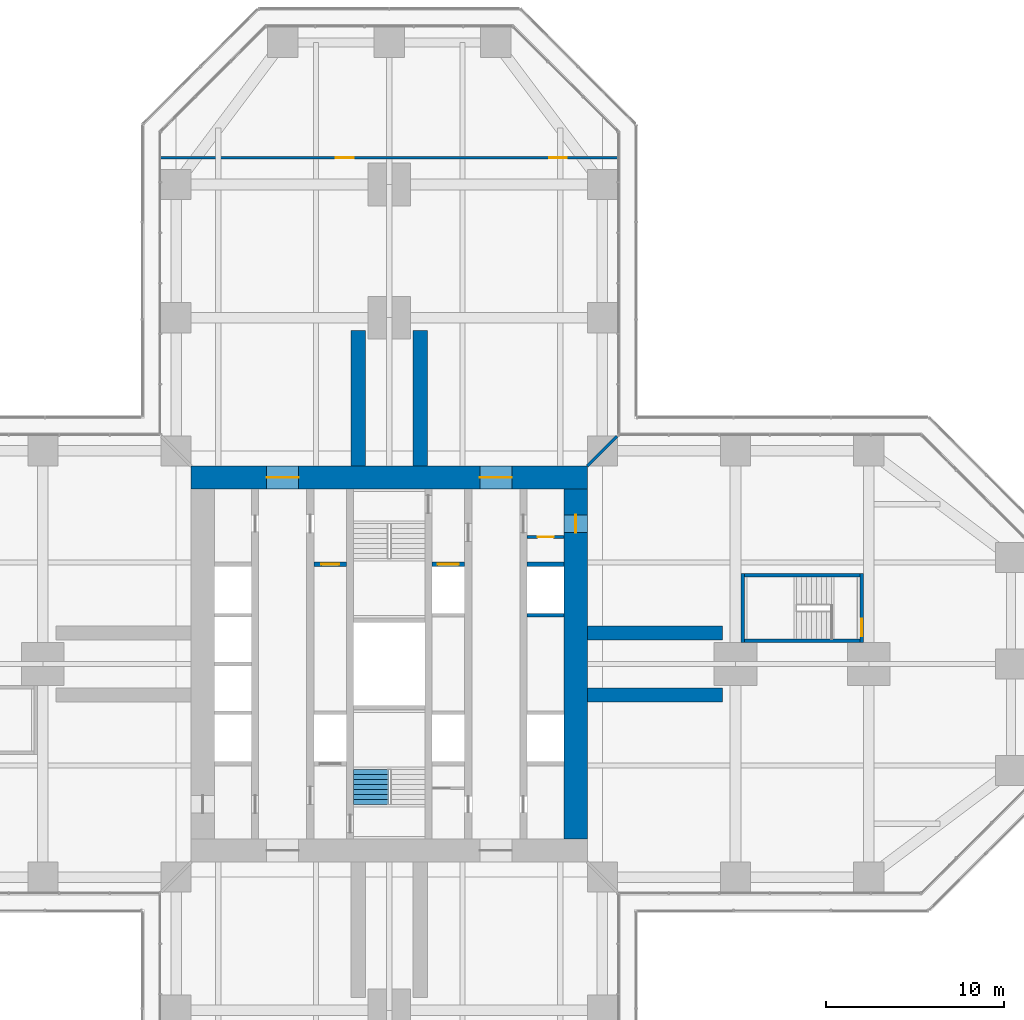
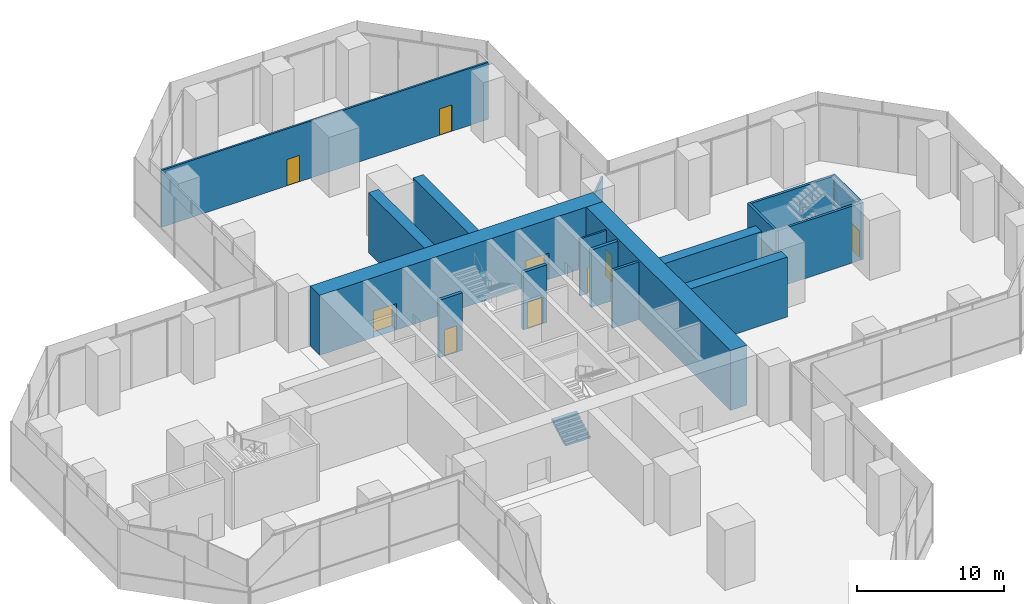
# One storey, part 18 of 23: 17 walls, 9 doors, 1 stair flight, 9 openings, 1 element without a shape of its own.
"""IFC4 building model written with IfcOpenShell, lengths in metres."""

from ifc_helpers import new_model, si_unit, direction, frame, frame_2d, origin, place, context, subcontext, project, spatial, polyline, rectangle, outline, extrude, material, layer, layer_set, type_object, element, fill, aggregate, save


model = new_model("IFC4")

# Units and contexts
model_context = context("Model", 3, precision=1e-05, world=origin(), true_north=direction((0.0, 1.0)))
body_context = subcontext(model_context, "Body", "Model", "MODEL_VIEW")
ifc_project = project(units=[si_unit("LENGTHUNIT", "METRE"), si_unit("AREAUNIT", "SQUARE_METRE"), si_unit("VOLUMEUNIT", "CUBIC_METRE"), si_unit("PLANEANGLEUNIT", "RADIAN"), si_unit("MASSUNIT", "GRAM", prefix="KILO")], contexts=[model_context])

# Site, building, storey
site_placement = place(None, origin())
site = spatial("IfcSite", under=ifc_project, at=site_placement, CompositionType="ELEMENT")
building_placement = place(site_placement, origin())
building = spatial("IfcBuilding", under=site, at=building_placement, Name="Mizan Broadcast Tower", CompositionType="ELEMENT")
storey_placement = place(building_placement, frame((0.0, 0.0, 28.0)))
storey = spatial("IfcBuildingStorey", under=building, at=storey_placement, Name="L04", CompositionType="ELEMENT", Elevation=28.0)

# Wall, opening, door
ifc_material_1 = material(Name="Concrete blockwork", Category="masonry")
ifc_layer_1 = layer(ifc_material_1, 0.14990234375)
ifc_layer_set_1 = layer_set([ifc_layer_1], Name="Concrete blockwork")
wall_type_1 = type_object("IfcWallType", Name="CORE PARTITION 150", PredefinedType="SOLIDWALL", material=ifc_layer_set_1)
wall_1_placement = place(storey_placement, frame((9.85009765625, 7.14990234375, 0.0), z_axis=(0.0, 0.0, 1.0), x_axis=(-1.0, 0.0, 0.0)))
wall_1 = element("IfcWall", 1, at=wall_1_placement, inside=storey, type_object=wall_type_1, Name="Core partition CORE/XPE", PredefinedType="SOLIDWALL", context=body_context, shape_type="SweptSolid", body=[
    extrude(rectangle(XDim=2.10009765625, YDim=0.14990234375, at=frame_2d((1.050048828125, 0.0))), origin(), (0.0, 0.0, 1.0), 4.75),
])
opening_1_placement = place(wall_1_placement, frame((0.60009765625, 0.0, 0.0)))
opening_1 = element("IfcOpeningElement", 2, at=opening_1_placement, cuts=wall_1, Name="Opening D09F", PredefinedType="OPENING", context=body_context, shape_type="SweptSolid", body=[
    extrude(rectangle(XDim=0.89990234375, YDim=2.10009765625, at=frame_2d((0.449951171875, 1.050048828125))), frame((0.0, 0.0849609375, 0.0), z_axis=(0.0, -1.0, 0.0), x_axis=(1.0, 0.0, 0.0)), (0.0, 0.0, 1.0), 0.169921875),
])
ifc_material_2 = material(Name="Steel door leaf in steel frame", Category="steel")
door_type_1 = type_object("IfcDoorType", Name="CORE ROOM DOOR 900 FD90", OperationType="SINGLE_SWING_LEFT", PredefinedType="DOOR", material=ifc_material_2)
door_1_placement = place(opening_1_placement, origin())
door_1 = element("IfcDoor", 3, at=door_1_placement, inside=storey, type_object=door_type_1, Name="Comms cupboard door", OperationType="SINGLE_SWING_RIGHT", OverallHeight=2.10009765625, OverallWidth=0.89990234375, PredefinedType="DOOR", context=body_context, shape_type="SweptSolid", body=[
    extrude(rectangle(XDim=0.89990234375, YDim=2.10009765625, at=frame_2d((0.449951171875, 1.050048828125))), frame((0.0, 0.02490234375, 0.0), z_axis=(0.0, -1.0, 0.0), x_axis=(1.0, 0.0, 0.0)), (0.0, 0.0, 1.0), 0.050048828125),
])
fill(opening_1, door_1)

# Wall, openings, doors
ifc_material_3 = material(Name="Concrete C70/85", Category="concrete")
ifc_layer_2 = layer(ifc_material_3, 1.300048828125)
ifc_layer_set_2 = layer_set([ifc_layer_2], Name="Concrete C70/85")
wall_type_2 = type_object("IfcWallType", Name="CORE WALL 1300", PredefinedType="SHEAR", material=ifc_layer_set_2)
wall_2_placement = place(storey_placement, frame((-11.14990234375, 10.5, 0.0), z_axis=(0.0, 0.0, 1.0), x_axis=(1.0, 0.0, 0.0)))
wall_2 = element("IfcWall", 4, at=wall_2_placement, inside=storey, type_object=wall_type_2, Name="Core wall N L04", PredefinedType="SHEAR", context=body_context, shape_type="SweptSolid", body=[
    extrude(rectangle(XDim=22.2998046875, YDim=1.300048828125, at=frame_2d((11.14990234375, 0.0))), origin(), (0.0, 0.0, 1.0), 5.0),
])
opening_2_placement = place(wall_2_placement, frame((4.25, 0.0, 0.0)))
opening_2 = element("IfcOpeningElement", 5, at=opening_2_placement, cuts=wall_2, Name="Opening D18F", PredefinedType="OPENING", context=body_context, shape_type="SweptSolid", body=[
    extrude(rectangle(XDim=1.800048828125, YDim=2.199951171875, at=frame_2d((0.89990234375, 1.10009765625))), frame((0.0, 0.659912109375, 0.0), z_axis=(0.0, -1.0, 0.0), x_axis=(1.0, 0.0, 0.0)), (0.0, 0.0, 1.0), 1.320068359375),
])
opening_3_placement = place(wall_2_placement, frame((16.25, 0.0, 0.0)))
opening_3 = element("IfcOpeningElement", 6, at=opening_3_placement, cuts=wall_2, Name="Opening D18F", PredefinedType="OPENING", context=body_context, shape_type="SweptSolid", body=[
    extrude(rectangle(XDim=1.800048828125, YDim=2.199951171875, at=frame_2d((0.89990234375, 1.10009765625))), frame((0.0, 0.659912109375, 0.0), z_axis=(0.0, -1.0, 0.0), x_axis=(1.0, 0.0, 0.0)), (0.0, 0.0, 1.0), 1.320068359375),
])
ifc_material_4 = material(Name="Steel door leaf in steel frame", Category="steel")
door_type_2 = type_object("IfcDoorType", Name="LOBBY DOUBLE DOOR 1800 FD90", OperationType="DOUBLE_DOOR_DOUBLE_SWING", PredefinedType="DOOR", material=ifc_material_4)
door_2_placement = place(opening_2_placement, origin())
door_2 = element("IfcDoor", 7, at=door_2_placement, inside=storey, type_object=door_type_2, Name="West lift lobby north door", OperationType="DOUBLE_DOOR_DOUBLE_SWING", OverallHeight=2.199951171875, OverallWidth=1.800048828125, PredefinedType="DOOR", context=body_context, shape_type="SweptSolid", body=[
    extrude(rectangle(XDim=1.800048828125, YDim=2.199951171875, at=frame_2d((0.89990234375, 1.10009765625))), frame((0.0, 0.02490234375, 0.0), z_axis=(0.0, -1.0, 0.0), x_axis=(1.0, 0.0, 0.0)), (0.0, 0.0, 1.0), 0.050048828125),
])
fill(opening_2, door_2)
door_3_placement = place(opening_3_placement, origin())
door_3 = element("IfcDoor", 8, at=door_3_placement, inside=storey, type_object=door_type_2, Name="East lift lobby north door", OperationType="DOUBLE_DOOR_DOUBLE_SWING", OverallHeight=2.199951171875, OverallWidth=1.800048828125, PredefinedType="DOOR", context=body_context, shape_type="SweptSolid", body=[
    extrude(rectangle(XDim=1.800048828125, YDim=2.199951171875, at=frame_2d((0.89990234375, 1.10009765625))), frame((0.0, 0.02490234375, 0.0), z_axis=(0.0, -1.0, 0.0), x_axis=(1.0, 0.0, 0.0)), (0.0, 0.0, 1.0), 0.050048828125),
])
fill(opening_3, door_3)

# Wall, opening, door
wall_3_placement = place(storey_placement, frame((10.5, -9.85009765625, 0.0), z_axis=(0.0, 0.0, 1.0), x_axis=(0.0, 1.0, 0.0)))
wall_3 = element("IfcWall", 9, at=wall_3_placement, inside=storey, type_object=wall_type_2, Name="Core wall E L04", PredefinedType="SHEAR", context=body_context, shape_type="SweptSolid", body=[
    extrude(rectangle(XDim=19.7001953125, YDim=1.300048828125, at=frame_2d((9.85009765625, 0.0))), origin(), (0.0, 0.0, 1.0), 5.0),
])
opening_4_placement = place(wall_3_placement, frame((17.25, 0.0, 0.0)))
opening_4 = element("IfcOpeningElement", 10, at=opening_4_placement, cuts=wall_3, Name="Opening D10F", PredefinedType="OPENING", context=body_context, shape_type="SweptSolid", body=[
    extrude(rectangle(XDim=1.0, YDim=2.199951171875, at=frame_2d((0.5, 1.10009765625))), frame((0.0, 0.659912109375, 0.0), z_axis=(0.0, -1.0, 0.0), x_axis=(1.0, 0.0, 0.0)), (0.0, 0.0, 1.0), 1.320068359375),
])
ifc_material_5 = material(Name="Steel door leaf in steel frame", Category="steel")
door_type_3 = type_object("IfcDoorType", Name="FIRE DOOR 1000 FD90", OperationType="SINGLE_SWING_LEFT", PredefinedType="DOOR", material=ifc_material_5)
door_4_placement = place(opening_4_placement, origin())
door_4 = element("IfcDoor", 11, at=door_4_placement, inside=storey, type_object=door_type_3, Name="East core passage arm door", OperationType="SINGLE_SWING_RIGHT", OverallHeight=2.199951171875, OverallWidth=1.0, PredefinedType="DOOR", context=body_context, shape_type="SweptSolid", body=[
    extrude(rectangle(XDim=1.0, YDim=2.199951171875, at=frame_2d((0.5, 1.10009765625))), frame((0.0, 0.02490234375, 0.0), z_axis=(0.0, -1.0, 0.0), x_axis=(1.0, 0.0, 0.0)), (0.0, 0.0, 1.0), 0.050048828125),
])
fill(opening_4, door_4)

# Wall
ifc_material_6 = material(Name="Concrete blockwork", Category="masonry")
ifc_layer_3 = layer(ifc_material_6, 0.199951171875)
ifc_layer_set_3 = layer_set([ifc_layer_3], Name="Concrete blockwork")
wall_type_3 = type_object("IfcWallType", Name="LIFT SHAFT WALL 200", PredefinedType="SOLIDWALL", material=ifc_layer_set_3)
wall_4_placement = place(storey_placement, frame((7.75, 2.75, 0.0), z_axis=(0.0, 0.0, 1.0), x_axis=(1.0, 0.0, 0.0)))
element("IfcWall", 12, at=wall_4_placement, inside=storey, type_object=wall_type_3, Name="Lift shaft wall CORE/SE1-3", PredefinedType="SOLIDWALL", context=body_context, shape_type="SweptSolid", body=[
    extrude(rectangle(XDim=2.10009765625, YDim=0.199951171875, at=frame_2d((1.050048828125, 0.0))), origin(), (0.0, 0.0, 1.0), 4.800048828125),
])

# Wall, opening, door
ifc_material_7 = material(Name="Concrete blockwork", Category="masonry")
ifc_layer_4 = layer(ifc_material_7, 0.25)
ifc_layer_set_4 = layer_set([ifc_layer_4], Name="Concrete blockwork")
wall_type_4 = type_object("IfcWallType", Name="LOBBY ENCLOSURE WALL 250", PredefinedType="SOLIDWALL", material=ifc_layer_set_4)
wall_5_placement = place(storey_placement, frame((-4.25, 5.625, 0.0), z_axis=(0.0, 0.0, 1.0), x_axis=(1.0, 0.0, 0.0)))
wall_5 = element("IfcWall", 13, at=wall_5_placement, inside=storey, type_object=wall_type_4, Name="Lobby enclosure wall CORE/BW2N", PredefinedType="SOLIDWALL", context=body_context, shape_type="SweptSolid", body=[
    extrude(rectangle(XDim=1.85009765625, YDim=0.25, at=frame_2d((0.925048828125, 0.0))), origin(), (0.0, 0.0, 1.0), 4.800048828125),
])
opening_5_placement = place(wall_5_placement, frame((0.425048828125, 0.0, 0.0)))
opening_5 = element("IfcOpeningElement", 14, at=opening_5_placement, cuts=wall_5, Name="Opening D10F", PredefinedType="OPENING", context=body_context, shape_type="SweptSolid", body=[
    extrude(rectangle(XDim=1.0, YDim=2.199951171875, at=frame_2d((0.5, 1.10009765625))), frame((0.0, 0.135009765625, 0.0), z_axis=(0.0, -1.0, 0.0), x_axis=(1.0, 0.0, 0.0)), (0.0, 0.0, 1.0), 0.27001953125),
])
door_5_placement = place(opening_5_placement, origin())
door_5 = element("IfcDoor", 15, at=door_5_placement, inside=storey, type_object=door_type_3, Name="Accessible shower room door", OperationType="SINGLE_SWING_RIGHT", OverallHeight=2.199951171875, OverallWidth=1.0, PredefinedType="DOOR", context=body_context, shape_type="SweptSolid", body=[
    extrude(rectangle(XDim=1.0, YDim=2.199951171875, at=frame_2d((0.5, 1.10009765625))), frame((0.0, 0.02490234375, 0.0), z_axis=(0.0, -1.0, 0.0), x_axis=(1.0, 0.0, 0.0)), (0.0, 0.0, 1.0), 0.050048828125),
])
fill(opening_5, door_5)

wall_6_placement = place(storey_placement, frame((2.39990234375, 5.625, 0.0), z_axis=(0.0, 0.0, 1.0), x_axis=(1.0, 0.0, 0.0)))
wall_6 = element("IfcWall", 16, at=wall_6_placement, inside=storey, type_object=wall_type_4, Name="Lobby enclosure wall CORE/BE2N", PredefinedType="SOLIDWALL", context=body_context, shape_type="SweptSolid", body=[
    extrude(rectangle(XDim=1.85009765625, YDim=0.25, at=frame_2d((0.925048828125, 0.0))), origin(), (0.0, 0.0, 1.0), 4.800048828125),
])
opening_6_placement = place(wall_6_placement, frame((0.324951171875, 0.0, 0.0)))
opening_6 = element("IfcOpeningElement", 17, at=opening_6_placement, cuts=wall_6, Name="Opening LDF", PredefinedType="OPENING", context=body_context, shape_type="SweptSolid", body=[
    extrude(rectangle(XDim=1.199951171875, YDim=2.199951171875, at=frame_2d((0.60009765625, 1.10009765625))), frame((0.0, 0.135009765625, 0.0), z_axis=(0.0, -1.0, 0.0), x_axis=(1.0, 0.0, 0.0)), (0.0, 0.0, 1.0), 0.27001953125),
])
ifc_material_8 = material(Name="Steel door leaf in steel frame", Category="steel")
door_type_4 = type_object("IfcDoorType", Name="FIREFIGHTING LIFT LANDING DOOR 1200", OperationType="SLIDING_TO_LEFT", PredefinedType="DOOR", material=ifc_material_8)
door_6_placement = place(opening_6_placement, origin())
door_6 = element("IfcDoor", 18, at=door_6_placement, inside=storey, type_object=door_type_4, Name="Landing door FF2", OperationType="SLIDING_TO_LEFT", OverallHeight=2.199951171875, OverallWidth=1.199951171875, PredefinedType="DOOR", context=body_context, shape_type="SweptSolid", body=[
    extrude(rectangle(XDim=1.199951171875, YDim=2.199951171875, at=frame_2d((0.60009765625, 1.10009765625))), frame((0.0, 0.02490234375, 0.0), z_axis=(0.0, -1.0, 0.0), x_axis=(1.0, 0.0, 0.0)), (0.0, 0.0, 1.0), 0.050048828125),
])
fill(opening_6, door_6)

# Wall
wall_7_placement = place(storey_placement, frame((7.75, 5.625, 0.0), z_axis=(0.0, 0.0, 1.0), x_axis=(1.0, 0.0, 0.0)))
element("IfcWall", 19, at=wall_7_placement, inside=storey, type_object=wall_type_4, Name="Lobby enclosure wall CORE/BE1N", PredefinedType="SOLIDWALL", context=body_context, shape_type="SweptSolid", body=[
    extrude(rectangle(XDim=2.10009765625, YDim=0.25, at=frame_2d((1.050048828125, 0.0))), origin(), (0.0, 0.0, 1.0), 4.800048828125),
])

# Wall, openings, doors
ifc_material_9 = material(Name="Gypsum board on steel studs", Category="steel")
ifc_layer_5 = layer(ifc_material_9, 0.14990234375)
ifc_layer_set_5 = layer_set([ifc_layer_5], Name="Gypsum board on steel studs")
wall_type_5 = type_object("IfcWallType", Name="PARTITION 150", PredefinedType="PARTITIONING", material=ifc_layer_set_5)
wall_8_placement = place(storey_placement, frame((12.875, 28.5, 0.0), z_axis=(0.0, 0.0, 1.0), x_axis=(-1.0, 0.0, 0.0)))
wall_8 = element("IfcWall", 20, at=wall_8_placement, inside=storey, type_object=wall_type_5, Name="Partition PT/NX1", PredefinedType="PARTITIONING", context=body_context, shape_type="SweptSolid", body=[
    extrude(rectangle(XDim=25.75, YDim=0.14990234375, at=frame_2d((12.875, 0.0))), origin(), (0.0, 0.0, 1.0), 4.75),
])
opening_7_placement = place(wall_8_placement, frame((14.875, 0.0, 0.0)))
opening_7 = element("IfcOpeningElement", 21, at=opening_7_placement, cuts=wall_8, Name="Opening D10", PredefinedType="OPENING", context=body_context, shape_type="SweptSolid", body=[
    extrude(rectangle(XDim=1.0, YDim=2.199951171875, at=frame_2d((0.5, 1.10009765625))), frame((0.0, 0.0849609375, 0.0), z_axis=(0.0, -1.0, 0.0), x_axis=(1.0, 0.0, 0.0)), (0.0, 0.0, 1.0), 0.169921875),
])
opening_8_placement = place(wall_8_placement, frame((2.875, 0.0, 0.0)))
opening_8 = element("IfcOpeningElement", 22, at=opening_8_placement, cuts=wall_8, Name="Opening D10", PredefinedType="OPENING", context=body_context, shape_type="SweptSolid", body=[
    extrude(rectangle(XDim=1.0, YDim=2.199951171875, at=frame_2d((0.5, 1.10009765625))), frame((0.0, 0.0849609375, 0.0), z_axis=(0.0, -1.0, 0.0), x_axis=(1.0, 0.0, 0.0)), (0.0, 0.0, 1.0), 0.169921875),
])
ifc_material_10 = material(Name="Timber door leaf in aluminium frame", Category="wood")
door_type_5 = type_object("IfcDoorType", Name="ROOM DOOR 1000", OperationType="SINGLE_SWING_LEFT", PredefinedType="DOOR", material=ifc_material_10)
door_7_placement = place(opening_7_placement, origin())
door_7 = element("IfcDoor", 23, at=door_7_placement, inside=storey, type_object=door_type_5, Name="Meeting room door", OperationType="SINGLE_SWING_RIGHT", OverallHeight=2.199951171875, OverallWidth=1.0, PredefinedType="DOOR", context=body_context, shape_type="SweptSolid", body=[
    extrude(rectangle(XDim=1.0, YDim=2.199951171875, at=frame_2d((0.5, 1.10009765625))), frame((0.0, 0.02490234375, 0.0), z_axis=(0.0, -1.0, 0.0), x_axis=(1.0, 0.0, 0.0)), (0.0, 0.0, 1.0), 0.050048828125),
])
fill(opening_7, door_7)
door_8_placement = place(opening_8_placement, origin())
door_8 = element("IfcDoor", 24, at=door_8_placement, inside=storey, type_object=door_type_5, Name="Meeting room door", OperationType="SINGLE_SWING_LEFT", OverallHeight=2.199951171875, OverallWidth=1.0, PredefinedType="DOOR", context=body_context, shape_type="SweptSolid", body=[
    extrude(rectangle(XDim=1.0, YDim=2.199951171875, at=frame_2d((0.5, 1.10009765625))), frame((0.0, 0.02490234375, 0.0), z_axis=(0.0, -1.0, 0.0), x_axis=(1.0, 0.0, 0.0)), (0.0, 0.0, 1.0), 0.050048828125),
])
fill(opening_8, door_8)

# Walls
wall_9_placement = place(storey_placement, frame((11.14990234375, 11.14990234375, 0.0), z_axis=(0.0, 0.0, 1.0), x_axis=(0.707106781187, 0.707106781187, 0.0)))
element("IfcWall", 25, at=wall_9_placement, inside=storey, type_object=wall_type_5, Name="Partition PT/DGEN", PredefinedType="PARTITIONING", context=body_context, shape_type="SweptSolid", body=[
    extrude(rectangle(XDim=2.362060546875, YDim=0.14990234375, at=frame_2d((1.18115234375, 0.0))), origin(), (0.0, 0.0, 1.0), 4.75),
])
ifc_material_11 = material(Name="Concrete C70/85", Category="concrete")
ifc_layer_6 = layer(ifc_material_11, 0.800048828125)
ifc_layer_set_6 = layer_set([ifc_layer_6], Name="Concrete C70/85")
wall_type_6 = type_object("IfcWallType", Name="SPINE WALL 800", PredefinedType="SHEAR", material=ifc_layer_set_6)
for number, where, z_axis, x_axis, name in (
    (26, (11.14990234375, -1.75, 0.0), (0.0, 0.0, 1.0), (1.0, 0.0, 0.0), "Spine wall ER L04"),
    (27, (11.14990234375, 1.75, 0.0), (0.0, 0.0, 1.0), (1.0, 0.0, 0.0), "Spine wall EL L04"),
    (28, (1.75, 11.14990234375, 0.0), (0.0, 0.0, 1.0), (0.0, 1.0, 0.0), "Spine wall NR L04"),
    (29, (-1.75, 11.14990234375, 0.0), (0.0, 0.0, 1.0), (0.0, 1.0, 0.0), "Spine wall NL L04"),
):
    element("IfcWall", number, at=place(storey_placement, frame(where, z_axis=z_axis, x_axis=x_axis)), inside=storey, type_object=wall_type_6, Name=name, PredefinedType="SHEAR", context=body_context, shape_type="SweptSolid", body=[
        extrude(rectangle(XDim=7.625, YDim=0.800048828125, at=frame_2d((3.8125, 0.0))), origin(), (0.0, 0.0, 1.0), 5.0),
    ])
ifc_material_12 = material(Name="Concrete C40/50", Category="concrete")
ifc_layer_7 = layer(ifc_material_12, 0.199951171875)
ifc_layer_set_7 = layer_set([ifc_layer_7], Name="Concrete C40/50")
wall_type_7 = type_object("IfcWallType", Name="STAIR SHAFT WALL 200 RC", PredefinedType="SOLIDWALL", material=ifc_layer_set_7)
wall_10_placement = place(storey_placement, frame((19.89990234375, 1.199951171875, 0.0), z_axis=(0.0, 0.0, 1.0), x_axis=(0.0, 1.0, 0.0)))
element("IfcWall", 30, at=wall_10_placement, inside=storey, type_object=wall_type_7, Name="Stair shaft wall PS/E/U0", PredefinedType="SOLIDWALL", context=body_context, shape_type="SweptSolid", body=[
    extrude(rectangle(XDim=3.900146484375, YDim=0.199951171875, at=frame_2d((1.9501953125, 0.0))), origin(), (0.0, 0.0, 1.0), 4.75),
])

# Wall, opening, door
wall_11_placement = place(storey_placement, frame((26.60009765625, 5.10009765625, 0.0), z_axis=(0.0, 0.0, 1.0), x_axis=(0.0, -1.0, 0.0)))
wall_11 = element("IfcWall", 31, at=wall_11_placement, inside=storey, type_object=wall_type_7, Name="Stair shaft wall PS/E/U1", PredefinedType="SOLIDWALL", context=body_context, shape_type="SweptSolid", body=[
    extrude(rectangle(XDim=3.900146484375, YDim=0.199951171875, at=frame_2d((1.9501953125, 0.0))), origin(), (0.0, 0.0, 1.0), 4.75),
])
opening_9_placement = place(wall_11_placement, frame((2.550048828125, 0.0, 0.0)))
opening_9 = element("IfcOpeningElement", 32, at=opening_9_placement, cuts=wall_11, Name="Opening D10S", PredefinedType="OPENING", context=body_context, shape_type="SweptSolid", body=[
    extrude(rectangle(XDim=1.0, YDim=2.199951171875, at=frame_2d((0.5, 1.10009765625))), frame((0.0, 0.10986328125, 0.0), z_axis=(0.0, -1.0, 0.0), x_axis=(1.0, 0.0, 0.0)), (0.0, 0.0, 1.0), 0.219970703125),
])
ifc_material_13 = material(Name="Steel door leaf in steel frame", Category="steel")
door_type_6 = type_object("IfcDoorType", Name="STAIR DOOR 1000 FD90S", OperationType="SINGLE_SWING_RIGHT", PredefinedType="DOOR", material=ifc_material_13)
door_9_placement = place(opening_9_placement, origin())
door_9 = element("IfcDoor", 33, at=door_9_placement, inside=storey, type_object=door_type_6, Name="Stair C door", OperationType="SINGLE_SWING_RIGHT", OverallHeight=2.199951171875, OverallWidth=1.0, PredefinedType="DOOR", context=body_context, shape_type="SweptSolid", body=[
    extrude(rectangle(XDim=1.0, YDim=2.199951171875, at=frame_2d((0.5, 1.10009765625))), frame((0.0, 0.02490234375, 0.0), z_axis=(0.0, -1.0, 0.0), x_axis=(1.0, 0.0, 0.0)), (0.0, 0.0, 1.0), 0.050048828125),
])
fill(opening_9, door_9)

# Walls
for number, where, z_axis, x_axis, name in (
    (34, (20.0, 1.300048828125, 0.0), (0.0, 0.0, 1.0), (1.0, 0.0, 0.0), "Stair shaft wall PS/E/V0"),
    (35, (26.5, 5.0, 0.0), (0.0, 0.0, 1.0), (-1.0, 0.0, 0.0), "Stair shaft wall PS/E/V1"),
):
    element("IfcWall", number, at=place(storey_placement, frame(where, z_axis=z_axis, x_axis=x_axis)), inside=storey, type_object=wall_type_7, Name=name, PredefinedType="SOLIDWALL", context=body_context, shape_type="SweptSolid", body=[
        extrude(rectangle(XDim=6.5, YDim=0.199951171875, at=frame_2d((3.25, 0.0))), origin(), (0.0, 0.0, 1.0), 4.75),
    ])

# Stair, stair flight
ifc_material_14 = material(Name="Concrete C40/50", Category="concrete")
stair_type = type_object("IfcStairType", Name="EXIT STAIR", PredefinedType="HALF_TURN_STAIR", material=ifc_material_14)
stair_placement = place(storey_placement, origin())
stair = element("IfcStair", 36, at=stair_placement, inside=storey, type_object=stair_type, Name="Stair A L04", PredefinedType="HALF_TURN_STAIR")
ifc_material_15 = material(Name="Concrete C40/50", Category="concrete")
stair_flight_type = type_object("IfcStairFlightType", Name="EXIT STAIR FLIGHT", PredefinedType="STRAIGHT", material=ifc_material_15)
stair_flight_placement = place(storey_placement, frame((-1.02490234375, -7.89990234375, 0.0), z_axis=(0.0, 0.0, 1.0), x_axis=(0.0, 1.0, 0.0)))
stair_flight = element("IfcStairFlight", 37, at=stair_flight_placement, type_object=stair_flight_type, Name="A flight 1", NumberOfRisers=8, NumberOfTreads=7, PredefinedType="STRAIGHT", RiserHeight=0.15625, TreadLength=0.28, context=body_context, shape_type="SweptSolid", body=[
    extrude(outline(polyline([(0.0, 0.0), (0.0, 0.15625), (0.280029296875, 0.15625), (0.280029296875, 0.3125), (0.56005859375, 0.3125), (0.56005859375, 0.46875), (0.840087890625, 0.46875), (0.840087890625, 0.625), (1.1201171875, 0.625), (1.1201171875, 0.78125), (1.39990234375, 0.78125), (1.39990234375, 0.9375), (1.679931640625, 0.9375), (1.679931640625, 1.09375), (1.9599609375, 1.09375), (1.9599609375, 1.25), (1.9599609375, 0.922119140625), (0.3076171875, 0.0), (0.0, 0.0)])), frame((0.0, 0.97509765625, 0.0), z_axis=(0.0, -1.0, 0.0), x_axis=(1.0, 0.0, 0.0)), (0.0, 0.0, 1.0), 0.4873046875),
    extrude(outline(polyline([(0.0, 0.0), (0.0, 0.15625), (0.280029296875, 0.15625), (0.280029296875, 0.3125), (0.56005859375, 0.3125), (0.56005859375, 0.46875), (0.840087890625, 0.46875), (0.840087890625, 0.625), (1.1201171875, 0.625), (1.1201171875, 0.78125), (1.39990234375, 0.78125), (1.39990234375, 0.9375), (1.679931640625, 0.9375), (1.679931640625, 1.09375), (1.9599609375, 1.09375), (1.9599609375, 1.25), (1.9599609375, 0.922119140625), (0.3076171875, 0.0), (0.0, 0.0)])), frame((0.0, 0.4873046875, 0.0), z_axis=(0.0, -1.0, 0.0), x_axis=(1.0, 0.0, 0.0)), (0.0, 0.0, 1.0), 0.2431640625),
    extrude(outline(polyline([(0.0, 0.0), (0.0, 0.15625), (0.280029296875, 0.15625), (0.280029296875, 0.3125), (0.56005859375, 0.3125), (0.56005859375, 0.46875), (0.840087890625, 0.46875), (0.840087890625, 0.625), (1.1201171875, 0.625), (1.1201171875, 0.78125), (1.39990234375, 0.78125), (1.39990234375, 0.9375), (1.679931640625, 0.9375), (1.679931640625, 1.09375), (1.9599609375, 1.09375), (1.9599609375, 1.25), (1.9599609375, 0.922119140625), (0.3076171875, 0.0), (0.0, 0.0)])), frame((0.0, 0.24365234375, 0.0), z_axis=(0.0, -1.0, 0.0), x_axis=(1.0, 0.0, 0.0)), (0.0, 0.0, 1.0), 0.121337890625),
    extrude(outline(polyline([(0.0, 0.0), (0.0, 0.15625), (0.280029296875, 0.15625), (0.280029296875, 0.3125), (0.56005859375, 0.3125), (0.56005859375, 0.46875), (0.840087890625, 0.46875), (0.840087890625, 0.625), (1.1201171875, 0.625), (1.1201171875, 0.78125), (1.39990234375, 0.78125), (1.39990234375, 0.9375), (1.679931640625, 0.9375), (1.679931640625, 1.09375), (1.9599609375, 1.09375), (1.9599609375, 1.25), (1.9599609375, 0.922119140625), (0.3076171875, 0.0), (0.0, 0.0)])), frame((0.0, 0.121826171875, 0.0), z_axis=(0.0, -1.0, 0.0), x_axis=(1.0, 0.0, 0.0)), (0.0, 0.0, 1.0), 0.060546875),
    extrude(outline(polyline([(0.0, 0.0), (0.0, 0.15625), (0.280029296875, 0.15625), (0.280029296875, 0.3125), (0.56005859375, 0.3125), (0.56005859375, 0.46875), (0.840087890625, 0.46875), (0.840087890625, 0.625), (1.1201171875, 0.625), (1.1201171875, 0.78125), (1.39990234375, 0.78125), (1.39990234375, 0.9375), (1.679931640625, 0.9375), (1.679931640625, 1.09375), (1.9599609375, 1.09375), (1.9599609375, 1.25), (1.9599609375, 0.922119140625), (0.3076171875, 0.0), (0.0, 0.0)])), frame((0.0, 0.060791015625, 0.0), z_axis=(0.0, -1.0, 0.0), x_axis=(1.0, 0.0, 0.0)), (0.0, 0.0, 1.0), 0.030029296875),
    extrude(outline(polyline([(0.0, 0.0), (0.0, 0.15625), (0.280029296875, 0.15625), (0.280029296875, 0.3125), (0.56005859375, 0.3125), (0.56005859375, 0.46875), (0.840087890625, 0.46875), (0.840087890625, 0.625), (1.1201171875, 0.625), (1.1201171875, 0.78125), (1.39990234375, 0.78125), (1.39990234375, 0.9375), (1.679931640625, 0.9375), (1.679931640625, 1.09375), (1.9599609375, 1.09375), (1.9599609375, 1.25), (1.9599609375, 0.922119140625), (0.3076171875, 0.0), (0.0, 0.0)])), frame((0.0, 0.0302734375, 0.0), z_axis=(0.0, -1.0, 0.0), x_axis=(1.0, 0.0, 0.0)), (0.0, 0.0, 1.0), 0.060302734375),
    extrude(outline(polyline([(0.0, 0.0), (0.0, 0.15625), (0.280029296875, 0.15625), (0.280029296875, 0.3125), (0.56005859375, 0.3125), (0.56005859375, 0.46875), (0.840087890625, 0.46875), (0.840087890625, 0.625), (1.1201171875, 0.625), (1.1201171875, 0.78125), (1.39990234375, 0.78125), (1.39990234375, 0.9375), (1.679931640625, 0.9375), (1.679931640625, 1.09375), (1.9599609375, 1.09375), (1.9599609375, 1.25), (1.9599609375, 0.922119140625), (0.3076171875, 0.0), (0.0, 0.0)])), frame((0.0, -0.030517578125, 0.0), z_axis=(0.0, -1.0, 0.0), x_axis=(1.0, 0.0, 0.0)), (0.0, 0.0, 1.0), 0.030029296875),
    extrude(outline(polyline([(0.0, 0.0), (0.0, 0.15625), (0.280029296875, 0.15625), (0.280029296875, 0.3125), (0.56005859375, 0.3125), (0.56005859375, 0.46875), (0.840087890625, 0.46875), (0.840087890625, 0.625), (1.1201171875, 0.625), (1.1201171875, 0.78125), (1.39990234375, 0.78125), (1.39990234375, 0.9375), (1.679931640625, 0.9375), (1.679931640625, 1.09375), (1.9599609375, 1.09375), (1.9599609375, 1.25), (1.9599609375, 0.922119140625), (0.3076171875, 0.0), (0.0, 0.0)])), frame((0.0, -0.06103515625, 0.0), z_axis=(0.0, -1.0, 0.0), x_axis=(1.0, 0.0, 0.0)), (0.0, 0.0, 1.0), 0.060546875),
    extrude(outline(polyline([(0.0, 0.0), (0.0, 0.15625), (0.280029296875, 0.15625), (0.280029296875, 0.3125), (0.56005859375, 0.3125), (0.56005859375, 0.46875), (0.840087890625, 0.46875), (0.840087890625, 0.625), (1.1201171875, 0.625), (1.1201171875, 0.78125), (1.39990234375, 0.78125), (1.39990234375, 0.9375), (1.679931640625, 0.9375), (1.679931640625, 1.09375), (1.9599609375, 1.09375), (1.9599609375, 1.25), (1.9599609375, 0.922119140625), (0.3076171875, 0.0), (0.0, 0.0)])), frame((0.0, -0.1220703125, 0.0), z_axis=(0.0, -1.0, 0.0), x_axis=(1.0, 0.0, 0.0)), (0.0, 0.0, 1.0), 0.121337890625),
    extrude(outline(polyline([(0.0, 0.0), (0.0, 0.15625), (0.280029296875, 0.15625), (0.280029296875, 0.3125), (0.56005859375, 0.3125), (0.56005859375, 0.46875), (0.840087890625, 0.46875), (0.840087890625, 0.625), (1.1201171875, 0.625), (1.1201171875, 0.78125), (1.39990234375, 0.78125), (1.39990234375, 0.9375), (1.679931640625, 0.9375), (1.679931640625, 1.09375), (1.9599609375, 1.09375), (1.9599609375, 1.25), (1.9599609375, 0.922119140625), (0.3076171875, 0.0), (0.0, 0.0)])), frame((0.0, -0.243896484375, 0.0), z_axis=(0.0, -1.0, 0.0), x_axis=(1.0, 0.0, 0.0)), (0.0, 0.0, 1.0), 0.2431640625),
    extrude(outline(polyline([(0.0, 0.0), (0.0, 0.15625), (0.280029296875, 0.15625), (0.280029296875, 0.3125), (0.56005859375, 0.3125), (0.56005859375, 0.46875), (0.840087890625, 0.46875), (0.840087890625, 0.625), (1.1201171875, 0.625), (1.1201171875, 0.78125), (1.39990234375, 0.78125), (1.39990234375, 0.9375), (1.679931640625, 0.9375), (1.679931640625, 1.09375), (1.9599609375, 1.09375), (1.9599609375, 1.25), (1.9599609375, 0.922119140625), (0.3076171875, 0.0), (0.0, 0.0)])), frame((0.0, -0.487548828125, 0.0), z_axis=(0.0, -1.0, 0.0), x_axis=(1.0, 0.0, 0.0)), (0.0, 0.0, 1.0), 0.4873046875),
])
aggregate(stair, [stair_flight])

save(model, "model.ifc")
